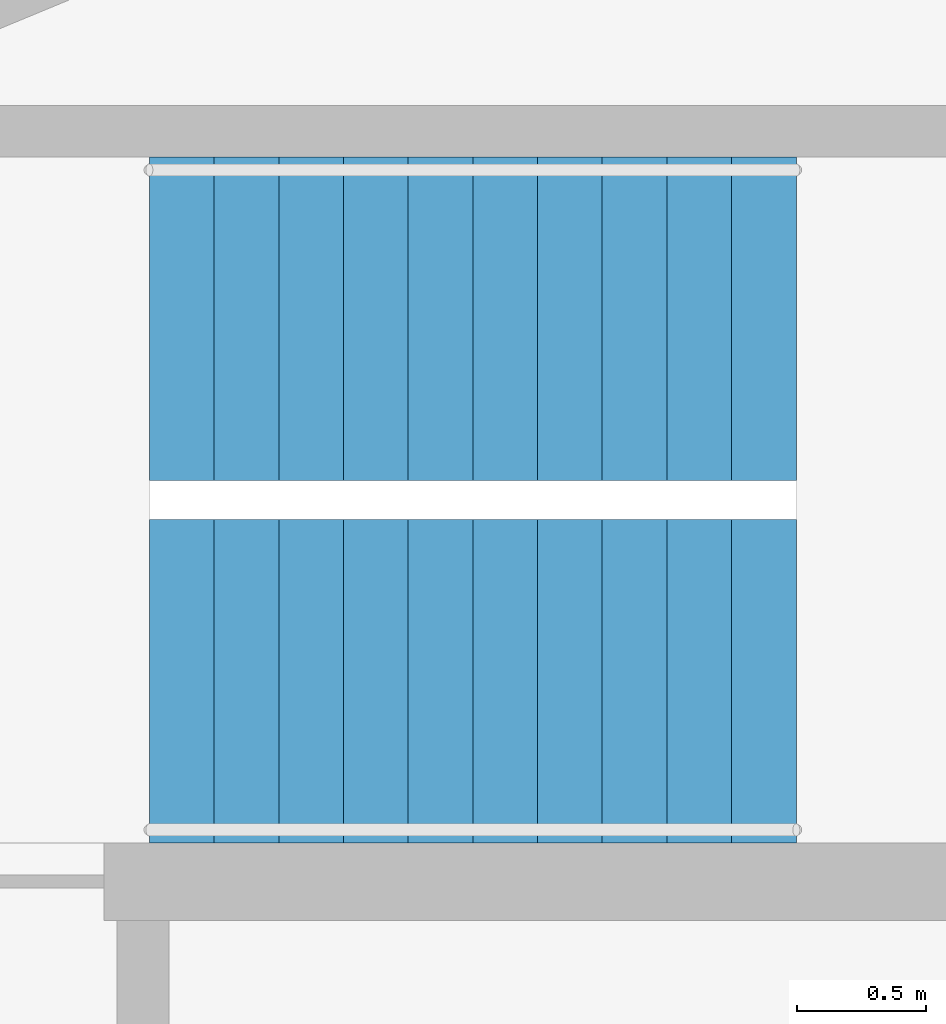
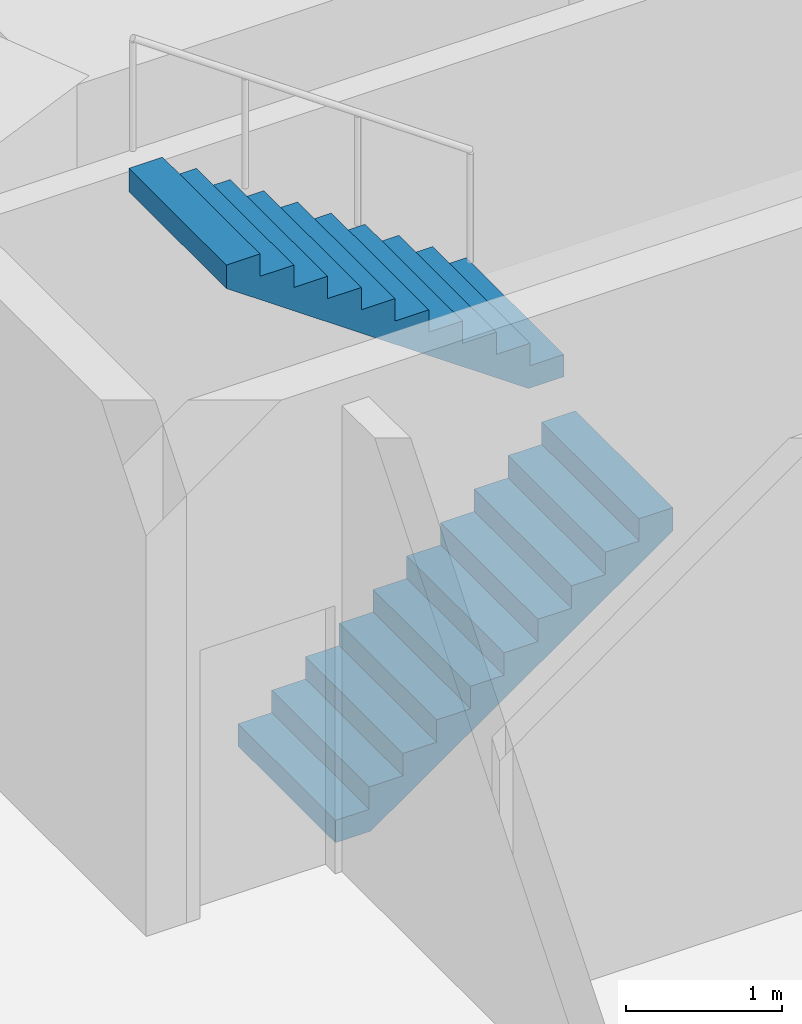
# One storey, part 13 of 15: 2 stair flights, 1 element without a shape of its own.
"""IFC4 building model written with IfcOpenShell, lengths in metres."""

from ifc_helpers import new_model, si_unit, direction, frame, origin, place, context, subcontext, project, spatial, polyline, outline, extrude, material, type_object, element, aggregate, save


model = new_model("IFC4")

# Units and contexts
model_context = context("Model", 3, precision=1e-05, world=origin(), true_north=direction((0.0, 1.0)))
body_context = subcontext(model_context, "Body", "Model", "MODEL_VIEW")
ifc_project = project(units=[si_unit("LENGTHUNIT", "METRE"), si_unit("AREAUNIT", "SQUARE_METRE"), si_unit("VOLUMEUNIT", "CUBIC_METRE"), si_unit("PLANEANGLEUNIT", "RADIAN"), si_unit("MASSUNIT", "GRAM", prefix="KILO")], contexts=[model_context])

# Site, building, storey
site_placement = place(None, origin())
site = spatial("IfcSite", under=ifc_project, at=site_placement, CompositionType="ELEMENT")
building_placement = place(site_placement, origin())
building = spatial("IfcBuilding", under=site, at=building_placement, Name="Nakasero Lantern House", CompositionType="ELEMENT")
storey_placement = place(building_placement, frame((0.0, 0.0, 64.35009765625)))
storey = spatial("IfcBuildingStorey", under=building, at=storey_placement, Name="L15", CompositionType="ELEMENT", Elevation=64.35009765625)

# Stair, stair flights
ifc_material_1 = material(Name="Concrete C40/50", Category="concrete")
stair_type = type_object("IfcStairType", Name="Escape stair ST1 22 risers", PredefinedType="HALF_TURN_STAIR", material=ifc_material_1)
stair_placement = place(storey_placement, origin())
stair = element("IfcStair", 1, at=stair_placement, inside=storey, type_object=stair_type, Name="Escape stair ST1 L15", PredefinedType="HALF_TURN_STAIR")
ifc_material_2 = material(Name="Concrete C40/50", Category="concrete")
stair_flight_type = type_object("IfcStairFlightType", Name="Escape stair flight", PredefinedType="STRAIGHT", material=ifc_material_2)
stair_flight_1_placement = place(storey_placement, frame((-1.875, 6.375, 0.0), z_axis=(0.0, 0.0, 1.0), x_axis=(1.0, 0.0, 0.0)))
stair_flight_1 = element("IfcStairFlight", 2, at=stair_flight_1_placement, type_object=stair_flight_type, Name="ST1 flight 1", NumberOfRisers=11, NumberOfTreads=10, PredefinedType="STRAIGHT", RiserHeight=0.175, TreadLength=0.25, context=body_context, shape_type="SweptSolid", body=[
    extrude(outline(polyline([(0.0, 0.0), (0.0, 0.175048828125), (0.25, 0.175048828125), (0.25, 0.35009765625), (0.5, 0.35009765625), (0.5, 0.52490234375), (0.75, 0.52490234375), (0.75, 0.699951171875), (1.0, 0.699951171875), (1.0, 0.875), (1.25, 0.875), (1.25, 1.050048828125), (1.5, 1.050048828125), (1.5, 1.22509765625), (1.75, 1.22509765625), (1.75, 1.39990234375), (2.0, 1.39990234375), (2.0, 1.574951171875), (2.25, 1.574951171875), (2.25, 1.75), (2.5, 1.75), (2.5, 1.925048828125), (2.5, 1.567138671875), (0.261474609375, 0.0), (0.0, 0.0)])), frame((0.0, 0.625, 0.0), z_axis=(0.0, -1.0, 0.0), x_axis=(1.0, 0.0, 0.0)), (0.0, 0.0, 1.0), 1.25),
])
stair_flight_2_placement = place(storey_placement, frame((0.625, 7.77490234375, 1.9248046875), z_axis=(0.0, 0.0, 1.0), x_axis=(-1.0, 0.0, 0.0)))
stair_flight_2 = element("IfcStairFlight", 3, at=stair_flight_2_placement, type_object=stair_flight_type, Name="ST1 flight 2", NumberOfRisers=11, NumberOfTreads=10, PredefinedType="STRAIGHT", RiserHeight=0.175, TreadLength=0.25, context=body_context, shape_type="SweptSolid", body=[
    extrude(outline(polyline([(0.0, 0.0), (0.0, 0.175048828125), (0.25, 0.175048828125), (0.25, 0.35009765625), (0.5, 0.35009765625), (0.5, 0.52490234375), (0.75, 0.52490234375), (0.75, 0.699951171875), (1.0, 0.699951171875), (1.0, 0.875), (1.25, 0.875), (1.25, 1.050048828125), (1.5, 1.050048828125), (1.5, 1.22509765625), (1.75, 1.22509765625), (1.75, 1.39990234375), (2.0, 1.39990234375), (2.0, 1.574951171875), (2.25, 1.574951171875), (2.25, 1.75), (2.5, 1.75), (2.5, 1.925048828125), (2.5, 1.567138671875), (0.261474609375, 0.0), (0.0, 0.0)])), frame((0.0, 0.625, 0.0), z_axis=(0.0, -1.0, 0.0), x_axis=(1.0, 0.0, 0.0)), (0.0, 0.0, 1.0), 1.25),
])
aggregate(stair, [stair_flight_1, stair_flight_2])

save(model, "model.ifc")
